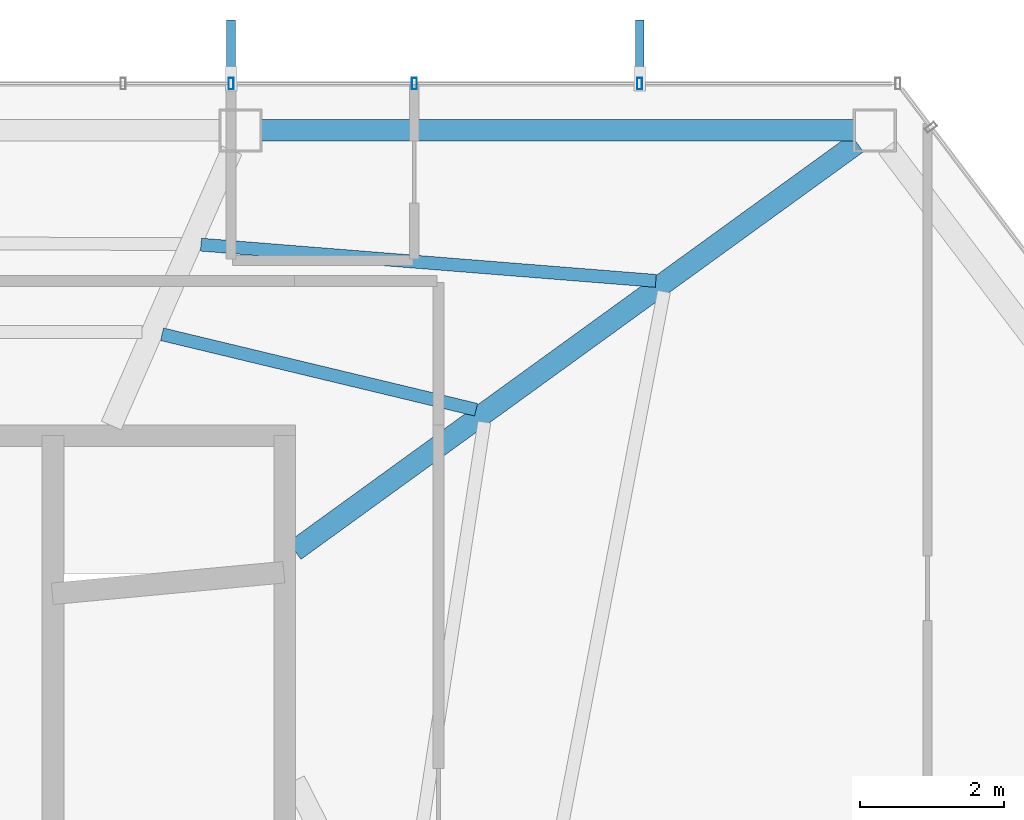
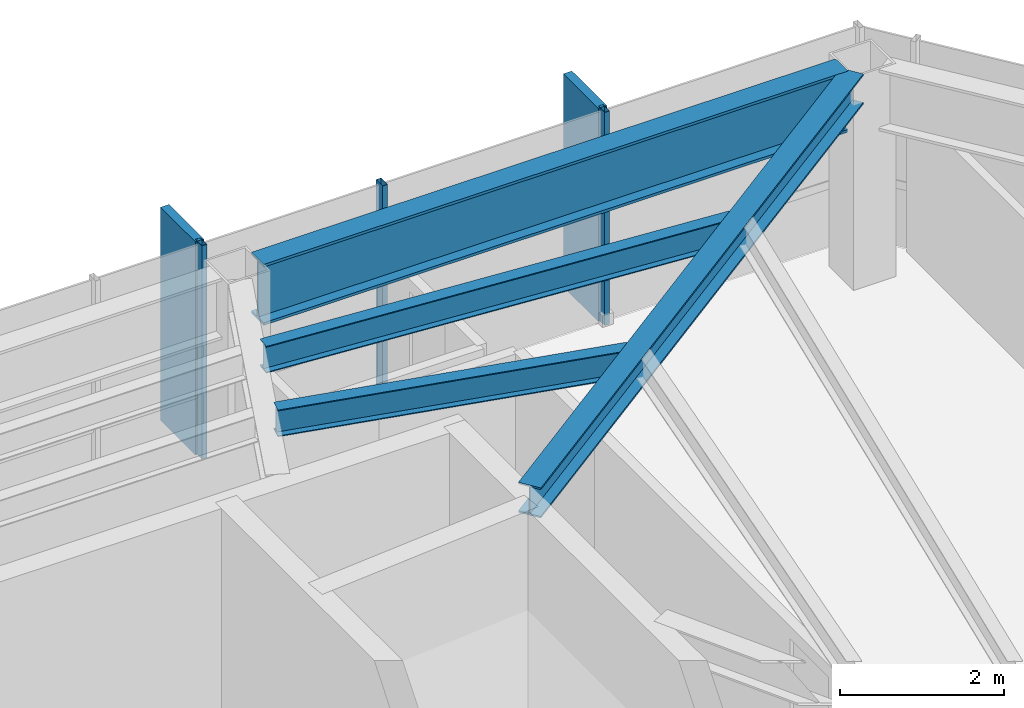
# One storey, part 22 of 28: 5 members, 4 beams, 1 element without a shape of its own.
"""IFC4 building model written with IfcOpenShell, lengths in metres."""

from ifc_helpers import new_model, si_unit, direction, frame, origin, origin_2d, place, context, subcontext, project, spatial, rectangle, hollow_rectangle, i_section, extrude, material, layer, layer_set, material_profile, profile_set, type_object, element, aggregate, save


model = new_model("IFC4")

# Units and contexts
model_context = context("Model", 3, precision=1e-05, world=origin(), true_north=direction((0.0, 1.0)))
body_context = subcontext(model_context, "Body", "Model", "MODEL_VIEW")
ifc_project = project(units=[si_unit("LENGTHUNIT", "METRE"), si_unit("AREAUNIT", "SQUARE_METRE"), si_unit("VOLUMEUNIT", "CUBIC_METRE"), si_unit("PLANEANGLEUNIT", "RADIAN"), si_unit("MASSUNIT", "GRAM", prefix="KILO")], contexts=[model_context])

# Site, building, storey
site_placement = place(None, origin())
site = spatial("IfcSite", under=ifc_project, at=site_placement, CompositionType="ELEMENT")
building_placement = place(site_placement, origin())
building = spatial("IfcBuilding", under=site, at=building_placement, Name="Zarrinselat Tower", CompositionType="ELEMENT")
storey_placement = place(building_placement, frame((0.0, 0.0, 218.9599609375)))
storey = spatial("IfcBuildingStorey", under=building, at=storey_placement, Name="L54", CompositionType="ELEMENT", Elevation=218.9599609375)

# Beams
ifc_material_1 = material(Name="Steel S355J2", Category="steel")
ifc_material_profile_1 = material_profile(ifc_material_1, i_section(OverallWidth=0.300048828125, OverallDepth=0.449951171875, WebThickness=0.013916015625, FlangeThickness=0.02587890625, at=origin_2d()), Name="HEB 450")
ifc_profile_set_1 = profile_set([ifc_material_profile_1], Name="Steel S355J2")
beam_type_1 = type_object("IfcBeamType", Name="BM-HEB450", PredefinedType="BEAM", material=ifc_profile_set_1)
beam_1_placement = place(storey_placement, frame((48.35009765625, 41.800048828125, 2.955078125), z_axis=(0.809785173782, 0.586726488513, 0.0), x_axis=(-0.586726488513, 0.809785173782, 0.0)))
element("IfcBeam", 1, at=beam_1_placement, inside=storey, type_object=beam_type_1, Name="L54 Radial Primary Girder RG01", PredefinedType="BEAM", context=body_context, shape_type="SweptSolid", body=[
    extrude(i_section(OverallWidth=0.300048828125, OverallDepth=0.449951171875, WebThickness=0.013916015625, FlangeThickness=0.02587890625, at=origin_2d()), origin(), (0.0, 0.0, 1.0), 9.6591796875),
])
ifc_material_2 = material(Name="Steel S460M", Category="steel")
ifc_material_profile_2 = material_profile(ifc_material_2, i_section(OverallWidth=0.302001953125, OverallDepth=0.909912109375, WebThickness=0.02099609375, FlangeThickness=0.0400390625, at=origin_2d()), Name="HEM 900")
ifc_profile_set_2 = profile_set([ifc_material_profile_2], Name="Steel S460M")
beam_type_2 = type_object("IfcBeamType", Name="BM-HEM900", PredefinedType="BEAM", material=ifc_profile_set_2)
beam_2_placement = place(storey_placement, frame((47.887451171875, 47.644287109375, 2.72509765625), z_axis=(1.0, 0.0, 0.0), x_axis=(0.0, 1.0, 0.0)))
element("IfcBeam", 2, at=beam_2_placement, inside=storey, type_object=beam_type_2, Name="L54 Perimeter Spandrel Girder SP01", PredefinedType="BEAM", context=body_context, shape_type="SweptSolid", body=[
    extrude(i_section(OverallWidth=0.302001953125, OverallDepth=0.909912109375, WebThickness=0.02099609375, FlangeThickness=0.0400390625, at=origin_2d()), origin(), (0.0, 0.0, 1.0), 8.240966796875),
])
ifc_material_3 = material(Name="Steel S355J2", Category="steel")
ifc_material_profile_3 = material_profile(ifc_material_3, i_section(OverallWidth=0.179931640625, OverallDepth=0.39990234375, WebThickness=0.008544921875, FlangeThickness=0.013427734375, at=origin_2d()), Name="IPE 400")
ifc_profile_set_3 = profile_set([ifc_material_profile_3], Name="Steel S355J2")
beam_type_3 = type_object("IfcBeamType", Name="BM-IPE400", PredefinedType="JOIST", material=ifc_profile_set_3)
beam_3_placement = place(storey_placement, frame((47.047119140625, 46.05517578125, 2.97998046875), z_axis=(0.996845179444, -0.079370575268, 0.0), x_axis=(0.079370575268, 0.996845179444, 0.0)))
element("IfcBeam", 3, at=beam_3_placement, inside=storey, type_object=beam_type_3, Name="L54 Composite Floor Joist 6-1", PredefinedType="JOIST", context=body_context, shape_type="SweptSolid", body=[
    extrude(i_section(OverallWidth=0.179931640625, OverallDepth=0.39990234375, WebThickness=0.008544921875, FlangeThickness=0.013427734375, at=origin_2d()), origin(), (0.0, 0.0, 1.0), 6.345703125),
])
beam_4_placement = place(storey_placement, frame((46.506591796875, 44.80859375, 2.97998046875), z_axis=(0.972333489032, -0.233597059285, 0.0), x_axis=(0.233597059285, 0.972333489032, 0.0)))
element("IfcBeam", 4, at=beam_4_placement, inside=storey, type_object=beam_type_3, Name="L54 Composite Floor Joist 6-2", PredefinedType="JOIST", context=body_context, shape_type="SweptSolid", body=[
    extrude(i_section(OverallWidth=0.179931640625, OverallDepth=0.39990234375, WebThickness=0.008544921875, FlangeThickness=0.013427734375, at=origin_2d()), origin(), (0.0, 0.0, 1.0), 4.490966796875),
])

# Curtain wall, members
ifc_material_4 = material(Name="Extruded Aluminium Alloy EN AW-6063 T6", Category="aluminium")
ifc_layer = layer(ifc_material_4, 0.169921875)
ifc_layer_set = layer_set([ifc_layer], Name="Extruded Aluminium Alloy EN AW-6063 T6")
curtain_wall_type = type_object("IfcCurtainWallType", Name="CWS-RES", PredefinedType="NOTDEFINED", material=ifc_layer_set)
curtain_wall_placement = place(storey_placement, origin())
curtain_wall = element("IfcCurtainWall", 5, at=curtain_wall_placement, inside=storey, type_object=curtain_wall_type, Name="L54 Unitised Curtain Wall CW-L54-E01", PredefinedType="NOTDEFINED")
ifc_material_5 = material(Name="Extruded Aluminium Alloy EN AW-6063 T6", Category="aluminium")
ifc_material_profile_4 = material_profile(ifc_material_5, hollow_rectangle(XDim=0.070068359375, YDim=0.159912109375, WallThickness=0.00390625, at=origin_2d()), Name="RHS 160x70x4")
ifc_profile_set_4 = profile_set([ifc_material_profile_4], Name="Extruded Aluminium Alloy EN AW-6063 T6")
member_type_1 = type_object("IfcMemberType", Name="MEM-CW-MUL2", PredefinedType="MULLION", material=ifc_profile_set_4)
member_1_placement = place(storey_placement, frame((53.14794921875, 48.29443359375, 0.0), z_axis=(0.0, 0.0, 1.0), x_axis=(-1.0, 0.0, 0.0)))
member_1 = element("IfcMember", 6, at=member_1_placement, type_object=member_type_1, Name="CW-L54-E01 Mullion 1", PredefinedType="MULLION", context=body_context, shape_type="SweptSolid", body=[
    extrude(hollow_rectangle(XDim=0.070068359375, YDim=0.159912109375, WallThickness=0.00390625, at=origin_2d()), origin(), (0.0, 0.0, 1.0), 3.179931640625),
])
member_2_placement = place(storey_placement, frame((50.015380859375, 48.29443359375, 0.0), z_axis=(0.0, 0.0, 1.0), x_axis=(-1.0, 0.0, 0.0)))
member_2 = element("IfcMember", 7, at=member_2_placement, type_object=member_type_1, Name="CW-L54-E01 Mullion 2", PredefinedType="MULLION", context=body_context, shape_type="SweptSolid", body=[
    extrude(hollow_rectangle(XDim=0.070068359375, YDim=0.159912109375, WallThickness=0.00390625, at=origin_2d()), origin(), (0.0, 0.0, 1.0), 3.179931640625),
])
member_3_placement = place(storey_placement, frame((47.46533203125, 48.29443359375, 0.0), z_axis=(0.0, 0.0, 1.0), x_axis=(-1.0, 0.0, 0.0)))
member_3 = element("IfcMember", 8, at=member_3_placement, type_object=member_type_1, Name="CW-L54-E01 Mullion 3", PredefinedType="MULLION", context=body_context, shape_type="SweptSolid", body=[
    extrude(hollow_rectangle(XDim=0.070068359375, YDim=0.159912109375, WallThickness=0.00390625, at=origin_2d()), origin(), (0.0, 0.0, 1.0), 3.179931640625),
])
ifc_material_6 = material(Name="Honed Cream Travertine Stone", Category="masonry")
ifc_material_profile_5 = material_profile(ifc_material_6, rectangle(XDim=0.1201171875, YDim=0.85009765625, at=origin_2d()), Name="FIN 850x120")
ifc_profile_set_5 = profile_set([ifc_material_profile_5], Name="Honed Cream Travertine Stone")
member_type_2 = type_object("IfcMemberType", Name="MEM-STONE-FIN", PredefinedType="USERDEFINED", material=ifc_profile_set_5)
member_4_placement = place(storey_placement, frame((53.14794921875, 48.75439453125, 0.0), z_axis=(0.0, 0.0, 1.0), x_axis=(1.0, 0.0, 0.0)))
member_4 = element("IfcMember", 9, at=member_4_placement, type_object=member_type_2, Name="L54 Stone Shading Fin CW-L54-E01-01", ObjectType="FIN", PredefinedType="USERDEFINED", context=body_context, shape_type="SweptSolid", body=[
    extrude(rectangle(XDim=0.1201171875, YDim=0.85009765625, at=origin_2d()), origin(), (0.0, 0.0, 1.0), 3.179931640625),
])
member_5_placement = place(storey_placement, frame((47.46533203125, 48.75439453125, 0.0), z_axis=(0.0, 0.0, 1.0), x_axis=(1.0, 0.0, 0.0)))
member_5 = element("IfcMember", 10, at=member_5_placement, type_object=member_type_2, Name="L54 Stone Shading Fin CW-L54-E01-03", ObjectType="FIN", PredefinedType="USERDEFINED", context=body_context, shape_type="SweptSolid", body=[
    extrude(rectangle(XDim=0.1201171875, YDim=0.85009765625, at=origin_2d()), origin(), (0.0, 0.0, 1.0), 3.179931640625),
])
aggregate(curtain_wall, [member_1, member_4, member_2, member_3, member_5])

save(model, "model.ifc")
